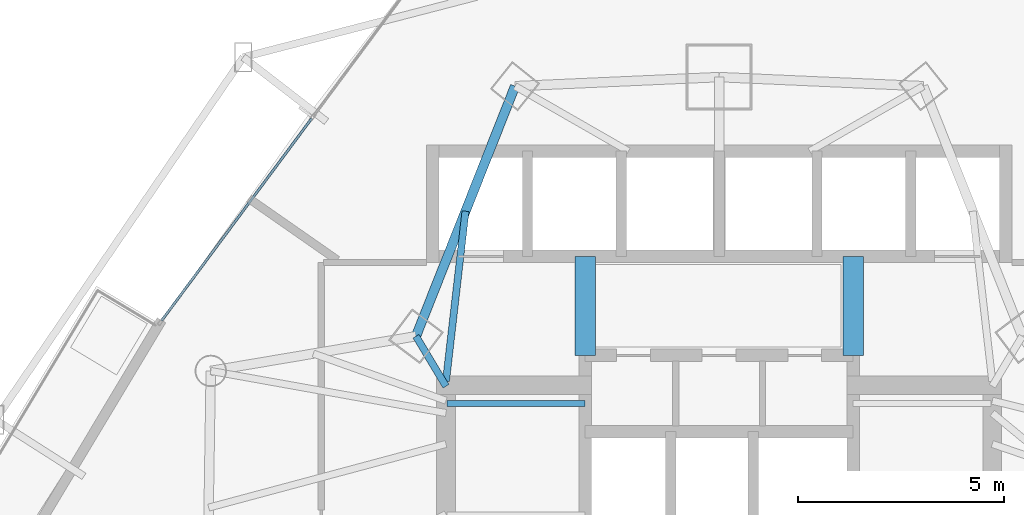
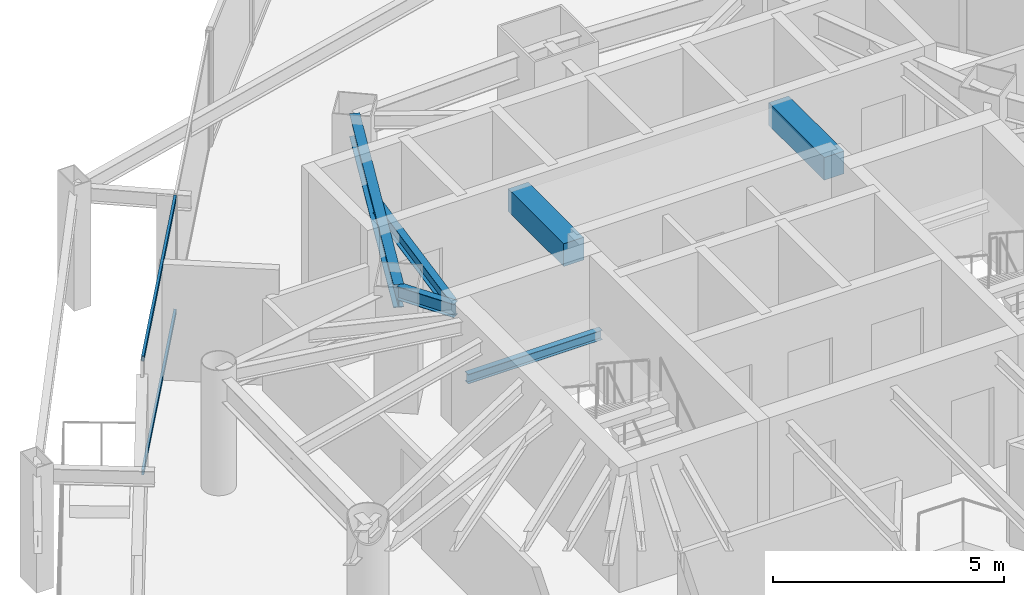
# One storey, part 21 of 34: 6 beams, 2 members, 1 element without a shape of its own.
"""IFC4 building model written with IfcOpenShell, lengths in metres."""

from ifc_helpers import new_model, si_unit, direction, frame, origin, origin_2d, place, context, subcontext, project, spatial, rectangle, hollow_rectangle, i_section, extrude, material, layer, layer_set, material_profile, profile_set, type_object, element, aggregate, save


model = new_model("IFC4")

# Units and contexts
model_context = context("Model", 3, precision=1e-05, world=origin(), true_north=direction((0.0, 1.0)))
body_context = subcontext(model_context, "Body", "Model", "MODEL_VIEW")
ifc_project = project(units=[si_unit("LENGTHUNIT", "METRE"), si_unit("AREAUNIT", "SQUARE_METRE"), si_unit("VOLUMEUNIT", "CUBIC_METRE"), si_unit("PLANEANGLEUNIT", "RADIAN"), si_unit("MASSUNIT", "GRAM", prefix="KILO")], contexts=[model_context])

# Site, building, storey
site_placement = place(None, origin())
site = spatial("IfcSite", under=ifc_project, at=site_placement, CompositionType="ELEMENT")
building_placement = place(site_placement, origin())
building = spatial("IfcBuilding", under=site, at=building_placement, Name="Orvanel Arch Residences", CompositionType="ELEMENT")
storey_placement = place(building_placement, frame((0.0, 0.0, 67.550048828125)))
storey = spatial("IfcBuildingStorey", under=building, at=storey_placement, Name="L18", CompositionType="ELEMENT", Elevation=67.550048828125)

# Beams
ifc_material_1 = material(Name="Structural steel AS/NZS 3679.1 Grade 300 (300 MPa)", Category="steel")
ifc_material_profile_1 = material_profile(ifc_material_1, i_section(OverallWidth=0.14599609375, OverallDepth=0.251953125, WebThickness=0.006103515625, FlangeThickness=0.008544921875, at=origin_2d()), Name="250UB31.4")
ifc_profile_set_1 = profile_set([ifc_material_profile_1], Name="Structural steel AS/NZS 3679.1 Grade 300 (300 MPa)")
beam_type_1 = type_object("IfcBeamType", Name="BJ-250UB", PredefinedType="JOIST", material=ifc_profile_set_1)
beam_1_placement = place(storey_placement, frame((26.39990234375, 33.47998046875, 1.323974609375), z_axis=(1.0, 0.0, 0.0), x_axis=(0.0, 1.0, 0.0)))
element("IfcBeam", 1, at=beam_1_placement, inside=storey, type_object=beam_type_1, Name="L18 ST-1 Half-Landing Support Beam 1.2", PredefinedType="JOIST", context=body_context, shape_type="SweptSolid", body=[
    extrude(i_section(OverallWidth=0.14599609375, OverallDepth=0.251953125, WebThickness=0.006103515625, FlangeThickness=0.008544921875, at=origin_2d()), origin(), (0.0, 0.0, 1.0), 3.35009765625),
])
ifc_material_profile_2 = material_profile(ifc_material_1, i_section(OverallWidth=0.1708984375, OverallDepth=0.35595703125, WebThickness=0.00732421875, FlangeThickness=0.011474609375, at=origin_2d()), Name="360UB50.7")
ifc_profile_set_2 = profile_set([ifc_material_profile_2], Name="Structural steel AS/NZS 3679.1 Grade 300 (300 MPa)")
beam_type_2 = type_object("IfcBeamType", Name="BJ-360UB", PredefinedType="JOIST", material=ifc_profile_set_2)
beam_2_placement = place(storey_placement, frame((26.375, 33.89990234375, 2.8818359375), z_axis=(-0.514064138778, 0.857751748015, 0.0), x_axis=(-0.857751748015, -0.514064138778, 0.0)))
element("IfcBeam", 2, at=beam_2_placement, inside=storey, type_object=beam_type_2, Name="L18 NNW Wing Floor Joist", PredefinedType="JOIST", context=body_context, shape_type="SweptSolid", body=[
    extrude(i_section(OverallWidth=0.1708984375, OverallDepth=0.35595703125, WebThickness=0.00732421875, FlangeThickness=0.011474609375, at=origin_2d()), origin(), (0.0, 0.0, 1.0), 1.414306640625),
])
beam_3_placement = place(storey_placement, frame((26.375, 34.02001953125, 2.8818359375), z_axis=(0.114186670431, 0.993459311847, 0.0), x_axis=(-0.993459311847, 0.114186670431, 0.0)))
element("IfcBeam", 3, at=beam_3_placement, inside=storey, type_object=beam_type_2, Name="L18 NNW2 Wing Floor Joist", PredefinedType="JOIST", context=body_context, shape_type="SweptSolid", body=[
    extrude(i_section(OverallWidth=0.1708984375, OverallDepth=0.35595703125, WebThickness=0.00732421875, FlangeThickness=0.011474609375, at=origin_2d()), origin(), (0.0, 0.0, 1.0), 4.152099609375),
])
ifc_material_2 = material(Name="Concrete S65 (65 MPa)", Category="concrete")
ifc_material_profile_3 = material_profile(ifc_material_2, rectangle(XDim=0.5, YDim=0.60009765625, at=origin_2d()), Name="RC500x600")
ifc_profile_set_3 = profile_set([ifc_material_profile_3], Name="Concrete S65 (65 MPa)")
beam_type_3 = type_object("IfcBeamType", Name="CB-500x600", PredefinedType="LINTEL", material=ifc_profile_set_3)
for number, where, z_axis, x_axis, name in (
    (4, (29.75, 34.64990234375, 2.760009765625), (0.0, 1.0, 0.0), (-1.0, 0.0, 0.0), "L18 West Core Lobby Coupling Lintel Beam"),
    (5, (36.25, 34.64990234375, 2.760009765625), (0.0, 1.0, 0.0), (-1.0, 0.0, 0.0), "L18 East Core Lobby Coupling Lintel Beam"),
):
    element("IfcBeam", number, at=place(storey_placement, frame(where, z_axis=z_axis, x_axis=x_axis)), inside=storey, type_object=beam_type_3, Name=name, PredefinedType="LINTEL", context=body_context, shape_type="SweptSolid", body=[
        extrude(rectangle(XDim=0.5, YDim=0.60009765625, at=origin_2d()), origin(), (0.0, 0.0, 1.0), 2.400146484375),
    ])
ifc_material_profile_4 = material_profile(ifc_material_1, i_section(OverallWidth=0.22900390625, OverallDepth=0.612060546875, WebThickness=0.011962890625, FlangeThickness=0.01953125, at=origin_2d()), Name="610UB125")
ifc_profile_set_4 = profile_set([ifc_material_profile_4], Name="Structural steel AS/NZS 3679.1 Grade 300 (300 MPa)")
beam_type_4 = type_object("IfcBeamType", Name="SP-610UB", PredefinedType="SPANDREL", material=ifc_profile_set_4)
beam_4_placement = place(storey_placement, frame((28.050048828125, 41.177978515625, 2.75390625), z_axis=(-0.368233143579, -0.929733484376, 0.0), x_axis=(0.929733484376, -0.368233143579, 0.0)))
element("IfcBeam", 6, at=beam_4_placement, inside=storey, type_object=beam_type_4, Name="L18 Perimeter Spandrel Beam 18", PredefinedType="SPANDREL", context=body_context, shape_type="SweptSolid", body=[
    extrude(i_section(OverallWidth=0.22900390625, OverallDepth=0.612060546875, WebThickness=0.011962890625, FlangeThickness=0.01953125, at=origin_2d()), origin(), (0.0, 0.0, 1.0), 6.523193359375),
])

# Curtain wall, members
ifc_material_3 = material(Name="Bronze-anodised aluminium AA6063-T6", Category="aluminium")
ifc_layer = layer(ifc_material_3, 0.179931640625)
ifc_layer_set = layer_set([ifc_layer], Name="Bronze-anodised aluminium AA6063-T6")
curtain_wall_type = type_object("IfcCurtainWallType", Name="CW2-LOW-SYS", PredefinedType="NOTDEFINED", material=ifc_layer_set)
curtain_wall_placement = place(storey_placement, origin())
curtain_wall = element("IfcCurtainWall", 7, at=curtain_wall_placement, inside=storey, type_object=curtain_wall_type, Name="L18 CW2-LOW-SYS Unitised Curtain Wall", PredefinedType="NOTDEFINED")
ifc_material_profile_5 = material_profile(ifc_material_3, hollow_rectangle(XDim=0.06005859375, YDim=0.135009765625, WallThickness=0.00390625, at=origin_2d()), Name="ALU135x60x4")
ifc_profile_set_5 = profile_set([ifc_material_profile_5], Name="Bronze-anodised aluminium AA6063-T6")
member_type = type_object("IfcMemberType", Name="TRN-135x60", PredefinedType="USERDEFINED", material=ifc_profile_set_5)
member_1_placement = place(storey_placement, frame((23.1171875, 40.393798828125, 0.030029296875), z_axis=(-0.596008244944, -0.802978313505, 0.0), x_axis=(0.802978313505, -0.596008244944, 0.0)))
member_1 = element("IfcMember", 8, at=member_1_placement, type_object=member_type, Name="CW-S2 transom 2.1", ObjectType="TRANSOM", PredefinedType="USERDEFINED", context=body_context, shape_type="SweptSolid", body=[
    extrude(hollow_rectangle(XDim=0.06005859375, YDim=0.135009765625, WallThickness=0.00390625, at=origin_2d()), origin(), (0.0, 0.0, 1.0), 6.10791015625),
])
member_2_placement = place(storey_placement, frame((23.1171875, 40.393798828125, 3.030029296875), z_axis=(-0.596008244944, -0.802978313505, 0.0), x_axis=(0.802978313505, -0.596008244944, 0.0)))
member_2 = element("IfcMember", 9, at=member_2_placement, type_object=member_type, Name="CW-S2 transom 2.2", ObjectType="TRANSOM", PredefinedType="USERDEFINED", context=body_context, shape_type="SweptSolid", body=[
    extrude(hollow_rectangle(XDim=0.06005859375, YDim=0.135009765625, WallThickness=0.00390625, at=origin_2d()), origin(), (0.0, 0.0, 1.0), 6.10791015625),
])
aggregate(curtain_wall, [member_1, member_2])

save(model, "model.ifc")
